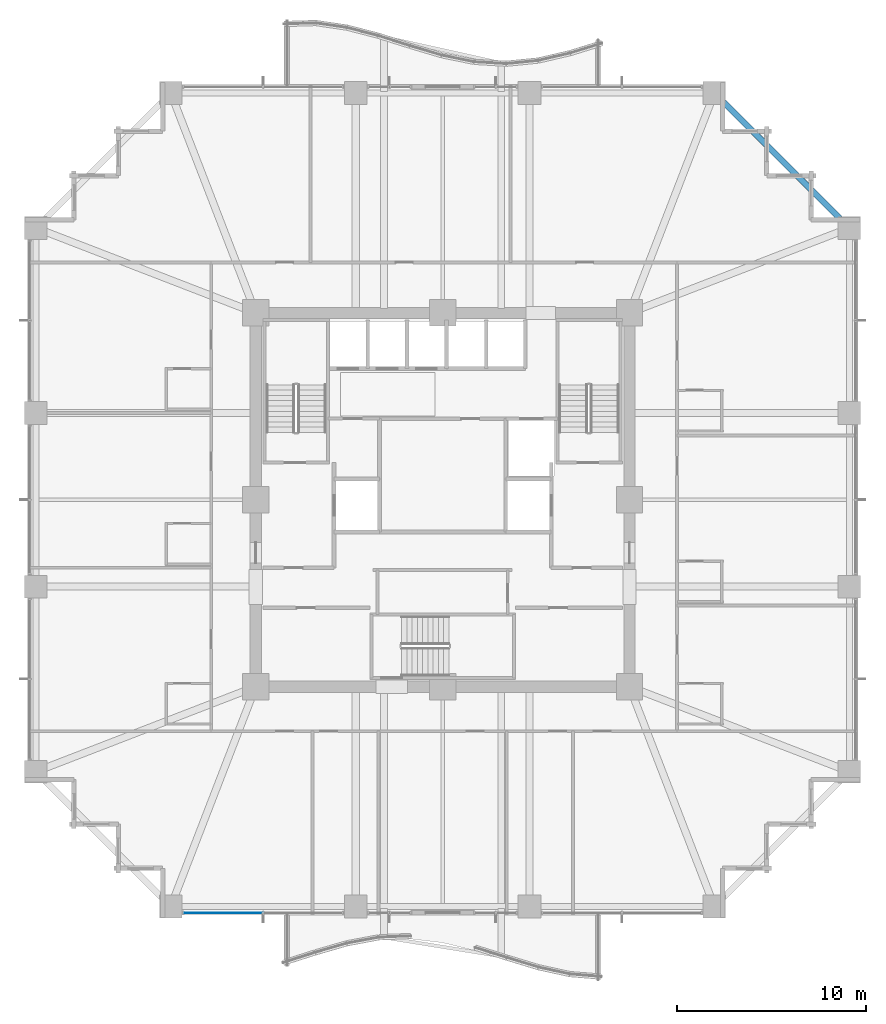
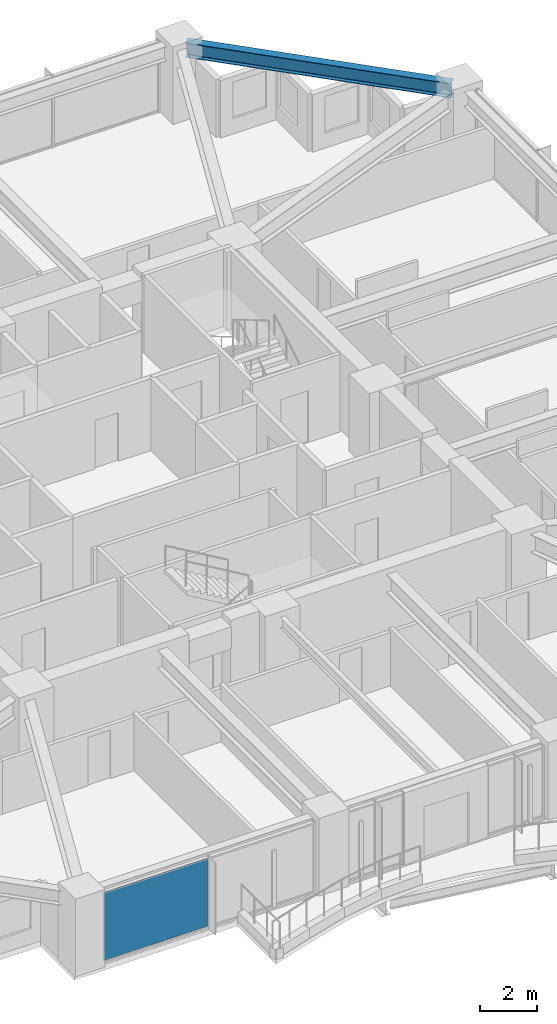
# One storey, part 26 of 38: 1 beam, 1 plate, 1 element without a shape of its own.
"""IFC4 building model written with IfcOpenShell, lengths in metres."""

from ifc_helpers import new_model, si_unit, direction, frame, origin, origin_2d, place, context, subcontext, project, spatial, rectangle, i_section, extrude, material, layer, layer_set, material_profile, profile_set, type_object, element, aggregate, save


model = new_model("IFC4")

# Units and contexts
model_context = context("Model", 3, precision=1e-05, world=origin(), true_north=direction((0.0, 1.0)))
body_context = subcontext(model_context, "Body", "Model", "MODEL_VIEW")
ifc_project = project(units=[si_unit("LENGTHUNIT", "METRE"), si_unit("AREAUNIT", "SQUARE_METRE"), si_unit("VOLUMEUNIT", "CUBIC_METRE"), si_unit("PLANEANGLEUNIT", "RADIAN"), si_unit("MASSUNIT", "GRAM", prefix="KILO")], contexts=[model_context])

# Site, building, storey
site_placement = place(None, origin())
site = spatial("IfcSite", under=ifc_project, at=site_placement, CompositionType="ELEMENT")
building_placement = place(site_placement, origin())
building = spatial("IfcBuilding", under=site, at=building_placement, Name="Kolvaren Belvedere", CompositionType="ELEMENT")
storey_placement = place(building_placement, frame((0.0, 0.0, 27.10009765625)))
storey = spatial("IfcBuildingStorey", under=building, at=storey_placement, Name="L07", CompositionType="ELEMENT", Elevation=27.10009765625)

# Beam
ifc_material_1 = material(Name="Structural steel ASTM A992 Grade 50", Category="steel")
ifc_material_profile = material_profile(ifc_material_1, i_section(OverallWidth=0.324951171875, OverallDepth=0.615966796875, WebThickness=0.013916015625, FlangeThickness=0.021484375, FilletRadius=0.02001953125, at=origin_2d()), Name="W24X117")
ifc_profile_set = profile_set([ifc_material_profile], Name="Structural steel ASTM A992 Grade 50")
beam_type = type_object("IfcBeamType", Name="BM-SPAN-W24X117", PredefinedType="SPANDREL", material=ifc_profile_set)
beam_placement = place(storey_placement, frame((21.359130859375, 14.5908203125, 2.751953125), z_axis=(-0.707106781187, 0.707106781187, 0.0), x_axis=(-0.707106781187, -0.707106781187, 0.0)))
element("IfcBeam", 1, at=beam_placement, inside=storey, type_object=beam_type, Name="L07 Perimeter Spandrel E4-N4", PredefinedType="SPANDREL", context=body_context, shape_type="SweptSolid", body=[
    extrude(i_section(OverallWidth=0.324951171875, OverallDepth=0.615966796875, WebThickness=0.013916015625, FlangeThickness=0.021484375, FilletRadius=0.02001953125, at=origin_2d()), origin(), (0.0, 0.0, 1.0), 9.57177734375),
])

# Curtain wall, plate
ifc_material_2 = material(Name="Anodised pale-metal aluminium AA 6063-T6", Category="aluminium")
curtain_wall_type = type_object("IfcCurtainWallType", Name="CW-Z1-LOW", PredefinedType="NOTDEFINED", material=ifc_material_2)
curtain_wall_placement = place(storey_placement, origin())
curtain_wall = element("IfcCurtainWall", 2, at=curtain_wall_placement, inside=storey, type_object=curtain_wall_type, Name="L07 Unitised Curtain Wall FCW-L07-S2-B2", PredefinedType="NOTDEFINED")
ifc_material_3 = material(Name="Low-iron triple insulated glass", Category="glass")
ifc_layer = layer(ifc_material_3, 0.028076171875)
ifc_layer_set = layer_set([ifc_layer], Name="Low-iron triple insulated glass")
plate_type = type_object("IfcPlateType", Name="CW-PNL-VIS28", PredefinedType="CURTAIN_PANEL", material=ifc_layer_set)
plate_placement = place(storey_placement, frame((-11.62255859375, -21.8798828125, 0.079833984375), z_axis=(0.0, 0.0, 1.0), x_axis=(-1.0, 0.0, 0.0)))
plate = element("IfcPlate", 3, at=plate_placement, type_object=plate_type, Name="FCW-L07-S2-B2 Vision Glazing Panel 2", PredefinedType="CURTAIN_PANEL", context=body_context, shape_type="SweptSolid", body=[
    extrude(rectangle(XDim=4.1650390625, YDim=0.028076171875, at=origin_2d()), origin(), (0.0, 0.0, 1.0), 2.89990234375),
])
aggregate(curtain_wall, [plate])

save(model, "model.ifc")
